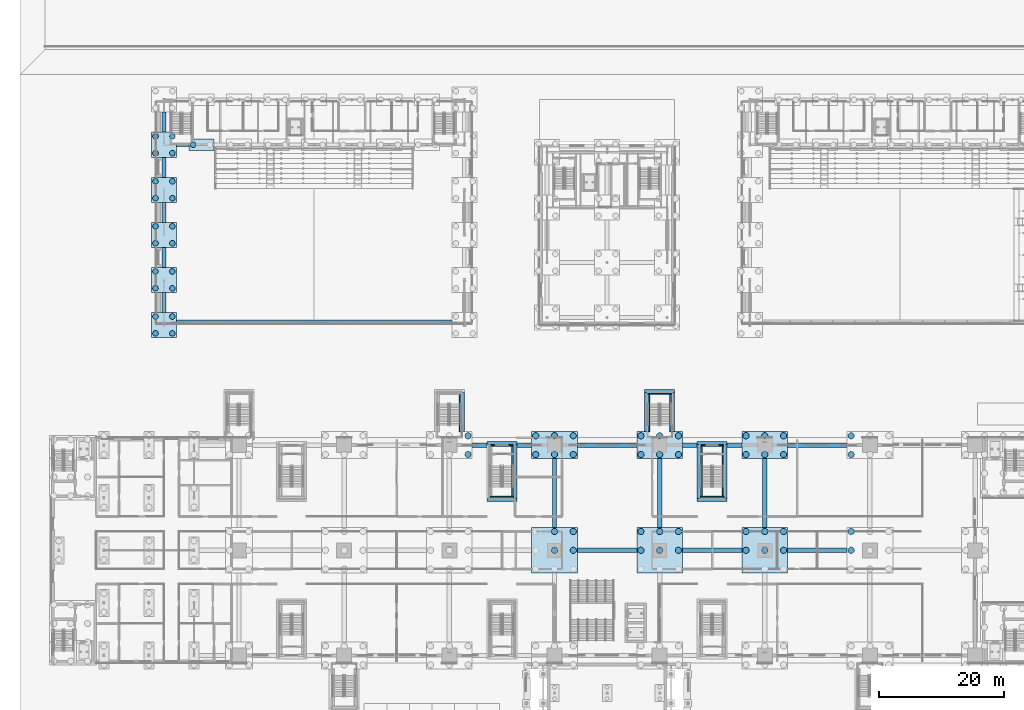
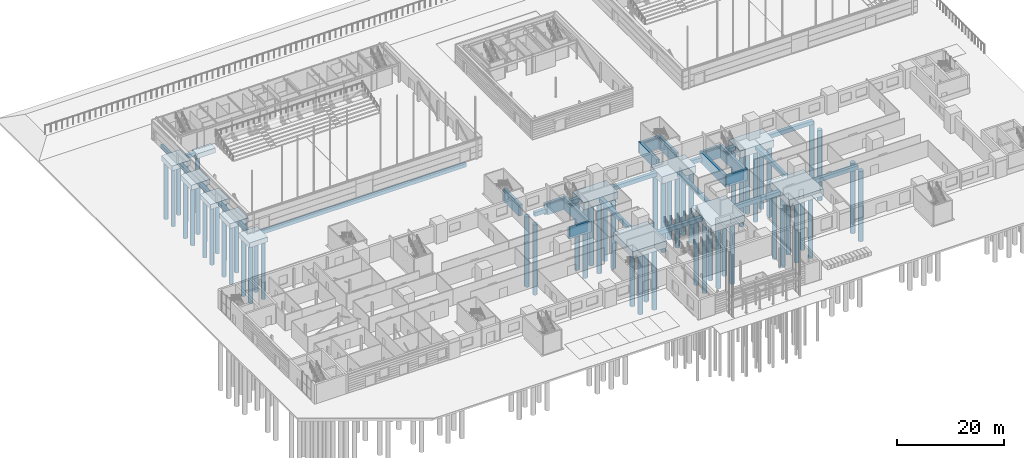
# One storey, part 4 of 139: 61 piles, 53 footings.
"""IFC4 building model written with IfcOpenShell, lengths in metres."""

from ifc_helpers import new_model, si_unit, direction, frame, origin, origin_2d, place, context, subcontext, project, spatial, polyline, rectangle, circle, outline, extrude, material, layer, layer_set, material_profile, profile_set, type_object, element, save


model = new_model("IFC4")

# Units and contexts
model_context = context("Model", 3, precision=1e-05, world=origin(), true_north=direction((0.0, 1.0)))
body_context = subcontext(model_context, "Body", "Model", "MODEL_VIEW")
ifc_project = project(units=[si_unit("LENGTHUNIT", "METRE"), si_unit("AREAUNIT", "SQUARE_METRE"), si_unit("VOLUMEUNIT", "CUBIC_METRE"), si_unit("PLANEANGLEUNIT", "RADIAN"), si_unit("MASSUNIT", "GRAM", prefix="KILO")], contexts=[model_context])

# Site, building, storey
site_placement = place(None, origin())
site = spatial("IfcSite", under=ifc_project, at=site_placement, CompositionType="ELEMENT")
building_placement = place(site_placement, origin())
building = spatial("IfcBuilding", under=site, at=building_placement, Name="Verrick Yard Athletic Hall", CompositionType="ELEMENT")
storey_placement = place(building_placement, origin())
storey = spatial("IfcBuildingStorey", under=building, at=storey_placement, Name="L00", CompositionType="ELEMENT", Elevation=0.0)

# Piles
ifc_material = material(Name="Concrete 35 MPa", Category="concrete")
ifc_material_profile_1 = material_profile(ifc_material, circle(Radius=0.449951171875, at=origin_2d()), Name="Bored pile 900")
ifc_profile_set_1 = profile_set([ifc_material_profile_1], Name="Concrete 35 MPa")
pile_type_1 = type_object("IfcPileType", Name="HB bored pile 900", PredefinedType="BORED", material=ifc_profile_set_1)
for number, where, z_axis, x_axis, name in (
    (1, (26.64990234375, 70.64990234375, -1.5), (0.0, 0.0, -1.0), (1.0, 0.0, 0.0), "HB-PC-HBW1-PL1"),
    (2, (29.35009765625, 70.64990234375, -1.5), (0.0, 0.0, -1.0), (1.0, 0.0, 0.0), "HB-PC-HBW1-PL2"),
    (3, (26.64990234375, 73.35009765625, -1.5), (0.0, 0.0, -1.0), (1.0, 0.0, 0.0), "HB-PC-HBW1-PL3"),
    (4, (29.35009765625, 73.35009765625, -1.5), (0.0, 0.0, -1.0), (1.0, 0.0, 0.0), "HB-PC-HBW1-PL4"),
    (5, (26.64990234375, 77.85009765625, -1.5), (0.0, 0.0, -1.0), (1.0, 0.0, 0.0), "HB-PC-HBW2-PL1"),
    (6, (29.35009765625, 77.85009765625, -1.5), (0.0, 0.0, -1.0), (1.0, 0.0, 0.0), "HB-PC-HBW2-PL2"),
    (7, (26.64990234375, 80.550048828125, -1.5), (0.0, 0.0, -1.0), (1.0, 0.0, 0.0), "HB-PC-HBW2-PL3"),
    (8, (29.35009765625, 80.550048828125, -1.5), (0.0, 0.0, -1.0), (1.0, 0.0, 0.0), "HB-PC-HBW2-PL4"),
    (9, (26.64990234375, 85.050048828125, -1.5), (0.0, 0.0, -1.0), (1.0, 0.0, 0.0), "HB-PC-HBW3-PL1"),
    (10, (29.35009765625, 85.050048828125, -1.5), (0.0, 0.0, -1.0), (1.0, 0.0, 0.0), "HB-PC-HBW3-PL2"),
    (11, (26.64990234375, 87.75, -1.5), (0.0, 0.0, -1.0), (1.0, 0.0, 0.0), "HB-PC-HBW3-PL3"),
    (12, (29.35009765625, 87.75, -1.5), (0.0, 0.0, -1.0), (1.0, 0.0, 0.0), "HB-PC-HBW3-PL4"),
    (13, (26.64990234375, 92.25, -1.5), (0.0, 0.0, -1.0), (1.0, 0.0, 0.0), "HB-PC-HBW4-PL1"),
    (14, (29.35009765625, 92.25, -1.5), (0.0, 0.0, -1.0), (1.0, 0.0, 0.0), "HB-PC-HBW4-PL2"),
    (15, (26.64990234375, 94.949951171875, -1.5), (0.0, 0.0, -1.0), (1.0, 0.0, 0.0), "HB-PC-HBW4-PL3"),
    (16, (29.35009765625, 94.949951171875, -1.5), (0.0, 0.0, -1.0), (1.0, 0.0, 0.0), "HB-PC-HBW4-PL4"),
    (17, (26.64990234375, 99.449951171875, -1.5), (0.0, 0.0, -1.0), (1.0, 0.0, 0.0), "HB-PC-HBW5-PL1"),
    (18, (29.35009765625, 99.449951171875, -1.5), (0.0, 0.0, -1.0), (1.0, 0.0, 0.0), "HB-PC-HBW5-PL2"),
    (19, (26.64990234375, 102.14990234375, -1.5), (0.0, 0.0, -1.0), (1.0, 0.0, 0.0), "HB-PC-HBW5-PL3"),
    (20, (29.35009765625, 102.14990234375, -1.5), (0.0, 0.0, -1.0), (1.0, 0.0, 0.0), "HB-PC-HBW5-PL4"),
    (21, (32.64990234375, 100.800048828125, -1.5), (0.0, 0.0, -1.0), (1.0, 0.0, 0.0), "HB-PC-B-B1S-PL1"),
):
    element("IfcPile", number, at=place(storey_placement, frame(where, z_axis=z_axis, x_axis=x_axis)), inside=storey, type_object=pile_type_1, Name=name, PredefinedType="BORED", context=body_context, shape_type="SweptSolid", body=[
        extrude(circle(Radius=0.449951171875, at=origin_2d()), origin(), (0.0, 0.0, 1.0), 13.10009765625),
    ])

# Footings
ifc_material_profile_2 = material_profile(ifc_material, rectangle(XDim=0.60009765625, YDim=0.800048828125, at=origin_2d()), Name="Grade beam 600x800")
ifc_profile_set_2 = profile_set([ifc_material_profile_2], Name="Concrete 35 MPa")
footing_type_1 = type_object("IfcFootingType", Name="HB grade beam 600x800", PredefinedType="FOOTING_BEAM", material=ifc_profile_set_2)
for number, where, z_axis, x_axis, name in (
    (22, (28.0, 74.0, -0.89990234375), (0.0, 1.0, 0.0), (-1.0, 0.0, 0.0), "HB-GB-B-WHBW1"),
    (23, (28.0, 81.199951171875, -0.89990234375), (0.0, 1.0, 0.0), (-1.0, 0.0, 0.0), "HB-GB-B-WHBW2"),
):
    element("IfcFooting", number, at=place(storey_placement, frame(where, z_axis=z_axis, x_axis=x_axis)), inside=storey, type_object=footing_type_1, Name=name, PredefinedType="FOOTING_BEAM", context=body_context, shape_type="SweptSolid", body=[
        extrude(rectangle(XDim=0.60009765625, YDim=0.800048828125, at=origin_2d()), origin(), (0.0, 0.0, 1.0), 3.199951171875),
    ])
footing_1_placement = place(storey_placement, frame((28.0, 88.39990234375, -0.89990234375), z_axis=(0.0, 1.0, 0.0), x_axis=(-1.0, 0.0, 0.0)))
element("IfcFooting", 24, at=footing_1_placement, inside=storey, type_object=footing_type_1, Name="HB-GB-B-WHBW3", PredefinedType="FOOTING_BEAM", context=body_context, shape_type="SweptSolid", body=[
    extrude(rectangle(XDim=0.60009765625, YDim=0.800048828125, at=origin_2d()), origin(), (0.0, 0.0, 1.0), 3.2001953125),
])
for number, where, z_axis, x_axis, name in (
    (25, (28.0, 95.60009765625, -0.89990234375), (0.0, 1.0, 0.0), (-1.0, 0.0, 0.0), "HB-GB-B-WHBW4"),
    (26, (28.0, 102.800048828125, -0.89990234375), (0.0, 1.0, 0.0), (-1.0, 0.0, 0.0), "HB-GB-B-WHBW5"),
):
    element("IfcFooting", number, at=place(storey_placement, frame(where, z_axis=z_axis, x_axis=x_axis)), inside=storey, type_object=footing_type_1, Name=name, PredefinedType="FOOTING_BEAM", context=body_context, shape_type="SweptSolid", body=[
        extrude(rectangle(XDim=0.60009765625, YDim=0.800048828125, at=origin_2d()), origin(), (0.0, 0.0, 1.0), 3.199951171875),
    ])
footing_2_placement = place(storey_placement, frame((30.0, 100.800048828125, -0.89990234375), z_axis=(1.0, 0.0, 0.0), x_axis=(0.0, 1.0, 0.0)))
element("IfcFooting", 27, at=footing_2_placement, inside=storey, type_object=footing_type_1, Name="HB-GB-B-R1-1", PredefinedType="FOOTING_BEAM", context=body_context, shape_type="SweptSolid", body=[
    extrude(rectangle(XDim=0.60009765625, YDim=0.800048828125, at=origin_2d()), origin(), (0.0, 0.0, 1.0), 2.0),
])
footing_3_placement = place(storey_placement, frame((30.0, 72.49462890625, -0.89990234375), z_axis=(1.0, 0.0, 0.0), x_axis=(0.0, 1.0, 0.0)))
element("IfcFooting", 28, at=footing_3_placement, inside=storey, type_object=footing_type_1, Name="HB-GB-B-GS", PredefinedType="FOOTING_BEAM", context=body_context, shape_type="SweptSolid", body=[
    extrude(rectangle(XDim=0.60009765625, YDim=0.800048828125, at=origin_2d()), origin(), (0.0, 0.0, 1.0), 44.0),
])
ifc_layer_1 = layer(ifc_material, 1.10009765625)
ifc_layer_set_1 = layer_set([ifc_layer_1], Name="HB pile cap four piles")
footing_type_2 = type_object("IfcFootingType", Name="HB pile cap four piles", PredefinedType="PILE_CAP", material=ifc_layer_set_1)
footing_4_placement = place(storey_placement, frame((0.0, 0.0, -1.60009765625)))
element("IfcFooting", 29, at=footing_4_placement, inside=storey, type_object=footing_type_2, Name="HB-PC-HBW1", PredefinedType="PILE_CAP", context=body_context, shape_type="SweptSolid", body=[
    extrude(outline(polyline([(26.0, 70.0), (30.0, 70.0), (30.0, 74.0), (26.0, 74.0), (26.0, 70.0)])), origin(), (0.0, 0.0, 1.0), 1.10009765625),
])
footing_5_placement = place(storey_placement, frame((0.0, 0.0, -1.60009765625)))
element("IfcFooting", 30, at=footing_5_placement, inside=storey, type_object=footing_type_2, Name="HB-PC-HBW2", PredefinedType="PILE_CAP", context=body_context, shape_type="SweptSolid", body=[
    extrude(outline(polyline([(26.0, 77.199951171875), (30.0, 77.199951171875), (30.0, 81.199951171875), (26.0, 81.199951171875), (26.0, 77.199951171875)])), origin(), (0.0, 0.0, 1.0), 1.10009765625),
])
footing_6_placement = place(storey_placement, frame((0.0, 0.0, -1.60009765625)))
element("IfcFooting", 31, at=footing_6_placement, inside=storey, type_object=footing_type_2, Name="HB-PC-HBW3", PredefinedType="PILE_CAP", context=body_context, shape_type="SweptSolid", body=[
    extrude(outline(polyline([(26.0, 84.39990234375), (30.0, 84.39990234375), (30.0, 88.39990234375), (26.0, 88.39990234375), (26.0, 84.39990234375)])), origin(), (0.0, 0.0, 1.0), 1.10009765625),
])
footing_7_placement = place(storey_placement, frame((0.0, 0.0, -1.60009765625)))
element("IfcFooting", 32, at=footing_7_placement, inside=storey, type_object=footing_type_2, Name="HB-PC-HBW4", PredefinedType="PILE_CAP", context=body_context, shape_type="SweptSolid", body=[
    extrude(outline(polyline([(26.0, 91.60009765625), (30.0, 91.60009765625), (30.0, 95.60009765625), (26.0, 95.60009765625), (26.0, 91.60009765625)])), origin(), (0.0, 0.0, 1.0), 1.10009765625),
])
footing_8_placement = place(storey_placement, frame((0.0, 0.0, -1.60009765625)))
element("IfcFooting", 33, at=footing_8_placement, inside=storey, type_object=footing_type_2, Name="HB-PC-HBW5", PredefinedType="PILE_CAP", context=body_context, shape_type="SweptSolid", body=[
    extrude(outline(polyline([(26.0, 98.800048828125), (30.0, 98.800048828125), (30.0, 102.800048828125), (26.0, 102.800048828125), (26.0, 98.800048828125)])), origin(), (0.0, 0.0, 1.0), 1.10009765625),
])
ifc_layer_2 = layer(ifc_material, 1.10009765625)
ifc_layer_set_2 = layer_set([ifc_layer_2], Name="HB pile cap two piles")
footing_type_3 = type_object("IfcFootingType", Name="HB pile cap two piles", PredefinedType="PILE_CAP", material=ifc_layer_set_2)
footing_9_placement = place(storey_placement, frame((0.0, 0.0, -1.60009765625)))
element("IfcFooting", 34, at=footing_9_placement, inside=storey, type_object=footing_type_3, Name="HB-PC-B-B1S", PredefinedType="PILE_CAP", context=body_context, shape_type="SweptSolid", body=[
    extrude(outline(polyline([(32.0, 99.89990234375), (36.0, 99.89990234375), (36.0, 101.699951171875), (32.0, 101.699951171875), (32.0, 99.89990234375)])), origin(), (0.0, 0.0, 1.0), 1.10009765625),
])

# Piles
pile_type_2 = type_object("IfcPileType", Name="STR Bored pile 1000", PredefinedType="BORED", material=ifc_material)
for number, where, z_axis, x_axis, name in (
    (35, (76.60009765625, 51.300048828125, -2.39990234375), (0.0, 0.0, -1.0), (1.0, 0.0, 0.0), "STR-PC-P3C-PL3"),
    (36, (76.60009765625, 54.300048828125, -2.39990234375), (0.0, 0.0, -1.0), (1.0, 0.0, 0.0), "STR-PC-P3C-PL6"),
    (37, (90.39990234375, 36.0, -2.39990234375), (0.0, 0.0, -1.0), (1.0, 0.0, 0.0), "STR-PC-P4B-PL5"),
    (38, (93.39990234375, 36.0, -2.39990234375), (0.0, 0.0, -1.0), (1.0, 0.0, 0.0), "STR-PC-P4B-PL6"),
    (39, (90.39990234375, 39.0, -2.39990234375), (0.0, 0.0, -1.0), (1.0, 0.0, 0.0), "STR-PC-P4B-PL8"),
    (40, (93.39990234375, 39.0, -2.39990234375), (0.0, 0.0, -1.0), (1.0, 0.0, 0.0), "STR-PC-P4B-PL9"),
    (41, (87.39990234375, 51.300048828125, -2.39990234375), (0.0, 0.0, -1.0), (1.0, 0.0, 0.0), "STR-PC-P4C-PL1"),
    (42, (90.39990234375, 51.300048828125, -2.39990234375), (0.0, 0.0, -1.0), (1.0, 0.0, 0.0), "STR-PC-P4C-PL2"),
    (43, (93.39990234375, 51.300048828125, -2.39990234375), (0.0, 0.0, -1.0), (1.0, 0.0, 0.0), "STR-PC-P4C-PL3"),
    (44, (87.39990234375, 54.300048828125, -2.39990234375), (0.0, 0.0, -1.0), (1.0, 0.0, 0.0), "STR-PC-P4C-PL4"),
    (45, (90.39990234375, 54.300048828125, -2.39990234375), (0.0, 0.0, -1.0), (1.0, 0.0, 0.0), "STR-PC-P4C-PL5"),
    (46, (93.39990234375, 54.300048828125, -2.39990234375), (0.0, 0.0, -1.0), (1.0, 0.0, 0.0), "STR-PC-P4C-PL6"),
    (47, (104.199951171875, 36.0, -2.39990234375), (0.0, 0.0, -1.0), (1.0, 0.0, 0.0), "STR-PC-P5B-PL4"),
    (48, (107.199951171875, 36.0, -2.39990234375), (0.0, 0.0, -1.0), (1.0, 0.0, 0.0), "STR-PC-P5B-PL5"),
    (49, (110.199951171875, 36.0, -2.39990234375), (0.0, 0.0, -1.0), (1.0, 0.0, 0.0), "STR-PC-P5B-PL6"),
    (50, (104.199951171875, 39.0, -2.39990234375), (0.0, 0.0, -1.0), (1.0, 0.0, 0.0), "STR-PC-P5B-PL7"),
    (51, (107.199951171875, 39.0, -2.39990234375), (0.0, 0.0, -1.0), (1.0, 0.0, 0.0), "STR-PC-P5B-PL8"),
    (52, (110.199951171875, 39.0, -2.39990234375), (0.0, 0.0, -1.0), (1.0, 0.0, 0.0), "STR-PC-P5B-PL9"),
    (53, (104.199951171875, 51.300048828125, -2.39990234375), (0.0, 0.0, -1.0), (1.0, 0.0, 0.0), "STR-PC-P5C-PL1"),
    (54, (107.199951171875, 51.300048828125, -2.39990234375), (0.0, 0.0, -1.0), (1.0, 0.0, 0.0), "STR-PC-P5C-PL2"),
    (55, (110.199951171875, 51.300048828125, -2.39990234375), (0.0, 0.0, -1.0), (1.0, 0.0, 0.0), "STR-PC-P5C-PL3"),
    (56, (104.199951171875, 54.300048828125, -2.39990234375), (0.0, 0.0, -1.0), (1.0, 0.0, 0.0), "STR-PC-P5C-PL4"),
    (57, (107.199951171875, 54.300048828125, -2.39990234375), (0.0, 0.0, -1.0), (1.0, 0.0, 0.0), "STR-PC-P5C-PL5"),
    (58, (110.199951171875, 54.300048828125, -2.39990234375), (0.0, 0.0, -1.0), (1.0, 0.0, 0.0), "STR-PC-P5C-PL6"),
    (59, (121.0, 36.0, -2.39990234375), (0.0, 0.0, -1.0), (1.0, 0.0, 0.0), "STR-PC-P6B-PL4"),
    (60, (124.0, 36.0, -2.39990234375), (0.0, 0.0, -1.0), (1.0, 0.0, 0.0), "STR-PC-P6B-PL5"),
    (61, (127.0, 36.0, -2.39990234375), (0.0, 0.0, -1.0), (1.0, 0.0, 0.0), "STR-PC-P6B-PL6"),
    (62, (121.0, 39.0, -2.39990234375), (0.0, 0.0, -1.0), (1.0, 0.0, 0.0), "STR-PC-P6B-PL7"),
    (63, (124.0, 39.0, -2.39990234375), (0.0, 0.0, -1.0), (1.0, 0.0, 0.0), "STR-PC-P6B-PL8"),
    (64, (127.0, 39.0, -2.39990234375), (0.0, 0.0, -1.0), (1.0, 0.0, 0.0), "STR-PC-P6B-PL9"),
    (65, (121.0, 51.300048828125, -2.39990234375), (0.0, 0.0, -1.0), (1.0, 0.0, 0.0), "STR-PC-P6C-PL1"),
    (66, (124.0, 51.300048828125, -2.39990234375), (0.0, 0.0, -1.0), (1.0, 0.0, 0.0), "STR-PC-P6C-PL2"),
    (67, (127.0, 51.300048828125, -2.39990234375), (0.0, 0.0, -1.0), (1.0, 0.0, 0.0), "STR-PC-P6C-PL3"),
    (68, (121.0, 54.300048828125, -2.39990234375), (0.0, 0.0, -1.0), (1.0, 0.0, 0.0), "STR-PC-P6C-PL4"),
    (69, (124.0, 54.300048828125, -2.39990234375), (0.0, 0.0, -1.0), (1.0, 0.0, 0.0), "STR-PC-P6C-PL5"),
    (70, (127.0, 54.300048828125, -2.39990234375), (0.0, 0.0, -1.0), (1.0, 0.0, 0.0), "STR-PC-P6C-PL6"),
    (71, (137.800048828125, 36.0, -2.39990234375), (0.0, 0.0, -1.0), (1.0, 0.0, 0.0), "STR-PC-P7B-PL4"),
    (72, (137.800048828125, 39.0, -2.39990234375), (0.0, 0.0, -1.0), (1.0, 0.0, 0.0), "STR-PC-P7B-PL7"),
    (73, (137.800048828125, 51.300048828125, -2.39990234375), (0.0, 0.0, -1.0), (1.0, 0.0, 0.0), "STR-PC-P7C-PL1"),
    (74, (137.800048828125, 54.300048828125, -2.39990234375), (0.0, 0.0, -1.0), (1.0, 0.0, 0.0), "STR-PC-P7C-PL4"),
):
    element("IfcPile", number, at=place(storey_placement, frame(where, z_axis=z_axis, x_axis=x_axis)), inside=storey, type_object=pile_type_2, Name=name, PredefinedType="BORED", context=body_context, shape_type="SweptSolid", body=[
        extrude(circle(Radius=0.5, at=origin_2d()), origin(), (0.0, 0.0, 1.0), 16.0),
    ])

# Footings
ifc_material_profile_3 = material_profile(ifc_material, rectangle(XDim=0.699951171875, YDim=0.89990234375, at=origin_2d()), Name="STR Grade beam F1")
ifc_profile_set_3 = profile_set([ifc_material_profile_3], Name="Concrete 35 MPa")
footing_type_4 = type_object("IfcFootingType", Name="STR Grade beam F1", PredefinedType="FOOTING_BEAM", material=ifc_profile_set_3)
for number, where, z_axis, x_axis, name in (
    (75, (94.050048828125, 36.0, -1.35009765625), (1.0, 0.0, 0.0), (0.0, 1.0, 0.0), "STR-GB-XP4B"),
    (76, (110.85009765625, 36.0, -1.35009765625), (1.0, 0.0, 0.0), (0.0, 1.0, 0.0), "STR-GB-XP5B"),
    (77, (127.64990234375, 36.0, -1.35009765625), (1.0, 0.0, 0.0), (0.0, 1.0, 0.0), "STR-GB-XP6B"),
):
    element("IfcFooting", number, at=place(storey_placement, frame(where, z_axis=z_axis, x_axis=x_axis)), inside=storey, type_object=footing_type_4, Name=name, PredefinedType="FOOTING_BEAM", context=body_context, shape_type="SweptSolid", body=[
        extrude(rectangle(XDim=0.699951171875, YDim=0.89990234375, at=origin_2d()), origin(), (0.0, 0.0, 1.0), 9.5),
    ])
for number, where, z_axis, x_axis, name in (
    (78, (77.25, 52.800048828125, -1.35009765625), (1.0, 0.0, 0.0), (0.0, 1.0, 0.0), "STR-GB-XP3C"),
    (79, (84.39990234375, 52.800048828125, -1.35009765625), (1.0, 0.0, 0.0), (0.0, 1.0, 0.0), "STR-GB-XP3C-2"),
):
    element("IfcFooting", number, at=place(storey_placement, frame(where, z_axis=z_axis, x_axis=x_axis)), inside=storey, type_object=footing_type_4, Name=name, PredefinedType="FOOTING_BEAM", context=body_context, shape_type="SweptSolid", body=[
        extrude(rectangle(XDim=0.699951171875, YDim=0.89990234375, at=origin_2d()), origin(), (0.0, 0.0, 1.0), 2.35009765625),
    ])
footing_10_placement = place(storey_placement, frame((94.050048828125, 52.800048828125, -1.35009765625), z_axis=(1.0, 0.0, 0.0), x_axis=(0.0, 1.0, 0.0)))
element("IfcFooting", 80, at=footing_10_placement, inside=storey, type_object=footing_type_4, Name="STR-GB-XP4C", PredefinedType="FOOTING_BEAM", context=body_context, shape_type="SweptSolid", body=[
    extrude(rectangle(XDim=0.699951171875, YDim=0.89990234375, at=origin_2d()), origin(), (0.0, 0.0, 1.0), 9.5),
])
footing_11_placement = place(storey_placement, frame((110.85009765625, 52.800048828125, -1.35009765625), z_axis=(1.0, 0.0, 0.0), x_axis=(0.0, 1.0, 0.0)))
element("IfcFooting", 81, at=footing_11_placement, inside=storey, type_object=footing_type_4, Name="STR-GB-XP5C", PredefinedType="FOOTING_BEAM", context=body_context, shape_type="SweptSolid", body=[
    extrude(rectangle(XDim=0.699951171875, YDim=0.89990234375, at=origin_2d()), origin(), (0.0, 0.0, 1.0), 2.349853515625),
])
footing_12_placement = place(storey_placement, frame((118.0, 52.800048828125, -1.35009765625), z_axis=(1.0, 0.0, 0.0), x_axis=(0.0, 1.0, 0.0)))
element("IfcFooting", 82, at=footing_12_placement, inside=storey, type_object=footing_type_4, Name="STR-GB-XP5C-2", PredefinedType="FOOTING_BEAM", context=body_context, shape_type="SweptSolid", body=[
    extrude(rectangle(XDim=0.699951171875, YDim=0.89990234375, at=origin_2d()), origin(), (0.0, 0.0, 1.0), 2.35009765625),
])
footing_13_placement = place(storey_placement, frame((127.64990234375, 52.800048828125, -1.35009765625), z_axis=(1.0, 0.0, 0.0), x_axis=(0.0, 1.0, 0.0)))
element("IfcFooting", 83, at=footing_13_placement, inside=storey, type_object=footing_type_4, Name="STR-GB-XP6C", PredefinedType="FOOTING_BEAM", context=body_context, shape_type="SweptSolid", body=[
    extrude(rectangle(XDim=0.699951171875, YDim=0.89990234375, at=origin_2d()), origin(), (0.0, 0.0, 1.0), 9.5),
])
for number, where, z_axis, x_axis, name in (
    (84, (90.39990234375, 39.64990234375, -1.35009765625), (0.0, 1.0, 0.0), (-1.0, 0.0, 0.0), "STR-GB-YP4B"),
    (85, (107.199951171875, 39.64990234375, -1.35009765625), (0.0, 1.0, 0.0), (-1.0, 0.0, 0.0), "STR-GB-YP5B"),
    (86, (124.0, 39.64990234375, -1.35009765625), (0.0, 1.0, 0.0), (-1.0, 0.0, 0.0), "STR-GB-YP6B"),
):
    element("IfcFooting", number, at=place(storey_placement, frame(where, z_axis=z_axis, x_axis=x_axis)), inside=storey, type_object=footing_type_4, Name=name, PredefinedType="FOOTING_BEAM", context=body_context, shape_type="SweptSolid", body=[
        extrude(rectangle(XDim=0.699951171875, YDim=0.89990234375, at=origin_2d()), origin(), (0.0, 0.0, 1.0), 11.0),
    ])
ifc_layer_3 = layer(ifc_material, 1.60009765625)
ifc_layer_set_3 = layer_set([ifc_layer_3], Name="STR Pile cap edge PC2")
footing_type_5 = type_object("IfcFootingType", Name="STR Pile cap edge PC2", PredefinedType="PILE_CAP", material=ifc_layer_set_3)
footing_14_placement = place(storey_placement, frame((0.0, 0.0, -2.5)))
element("IfcFooting", 87, at=footing_14_placement, inside=storey, type_object=footing_type_5, Name="STR-PC-P4C", PredefinedType="PILE_CAP", context=body_context, shape_type="SweptSolid", body=[
    extrude(outline(polyline([(86.75, 50.64990234375), (94.050048828125, 50.64990234375), (94.050048828125, 54.949951171875), (86.75, 54.949951171875), (86.75, 50.64990234375)])), origin(), (0.0, 0.0, 1.0), 1.60009765625),
])
footing_15_placement = place(storey_placement, frame((0.0, 0.0, -2.5)))
element("IfcFooting", 88, at=footing_15_placement, inside=storey, type_object=footing_type_5, Name="STR-PC-P5C", PredefinedType="PILE_CAP", context=body_context, shape_type="SweptSolid", body=[
    extrude(outline(polyline([(103.550048828125, 50.64990234375), (110.85009765625, 50.64990234375), (110.85009765625, 54.949951171875), (103.550048828125, 54.949951171875), (103.550048828125, 50.64990234375)])), origin(), (0.0, 0.0, 1.0), 1.60009765625),
])
footing_16_placement = place(storey_placement, frame((0.0, 0.0, -2.5)))
element("IfcFooting", 89, at=footing_16_placement, inside=storey, type_object=footing_type_5, Name="STR-PC-P6C", PredefinedType="PILE_CAP", context=body_context, shape_type="SweptSolid", body=[
    extrude(outline(polyline([(120.35009765625, 50.64990234375), (127.64990234375, 50.64990234375), (127.64990234375, 54.949951171875), (120.35009765625, 54.949951171875), (120.35009765625, 50.64990234375)])), origin(), (0.0, 0.0, 1.0), 1.60009765625),
])
ifc_layer_4 = layer(ifc_material, 1.60009765625)
ifc_layer_set_4 = layer_set([ifc_layer_4], Name="STR Pile cap interior PC1")
footing_type_6 = type_object("IfcFootingType", Name="STR Pile cap interior PC1", PredefinedType="PILE_CAP", material=ifc_layer_set_4)
footing_17_placement = place(storey_placement, frame((0.0, 0.0, -2.5)))
element("IfcFooting", 90, at=footing_17_placement, inside=storey, type_object=footing_type_6, Name="STR-PC-P4B", PredefinedType="PILE_CAP", context=body_context, shape_type="SweptSolid", body=[
    extrude(outline(polyline([(86.75, 32.35009765625), (94.050048828125, 32.35009765625), (94.050048828125, 39.64990234375), (86.75, 39.64990234375), (86.75, 32.35009765625)])), origin(), (0.0, 0.0, 1.0), 1.60009765625),
])
footing_18_placement = place(storey_placement, frame((0.0, 0.0, -2.5)))
element("IfcFooting", 91, at=footing_18_placement, inside=storey, type_object=footing_type_6, Name="STR-PC-P5B", PredefinedType="PILE_CAP", context=body_context, shape_type="SweptSolid", body=[
    extrude(outline(polyline([(103.550048828125, 32.35009765625), (110.85009765625, 32.35009765625), (110.85009765625, 39.64990234375), (103.550048828125, 39.64990234375), (103.550048828125, 32.35009765625)])), origin(), (0.0, 0.0, 1.0), 1.60009765625),
])
footing_19_placement = place(storey_placement, frame((0.0, 0.0, -2.5)))
element("IfcFooting", 92, at=footing_19_placement, inside=storey, type_object=footing_type_6, Name="STR-PC-P6B", PredefinedType="PILE_CAP", context=body_context, shape_type="SweptSolid", body=[
    extrude(outline(polyline([(120.35009765625, 32.35009765625), (127.64990234375, 32.35009765625), (127.64990234375, 39.64990234375), (120.35009765625, 39.64990234375), (120.35009765625, 32.35009765625)])), origin(), (0.0, 0.0, 1.0), 1.60009765625),
])
ifc_material_profile_4 = material_profile(ifc_material, rectangle(XDim=0.5, YDim=2.5, at=origin_2d()), Name="STR Wall strip footing F2")
ifc_profile_set_4 = profile_set([ifc_material_profile_4], Name="Concrete 35 MPa")
footing_type_7 = type_object("IfcFootingType", Name="STR Wall strip footing F2", PredefinedType="STRIP_FOOTING", material=ifc_profile_set_4)
footing_20_placement = place(storey_placement, frame((0.0, 0.0, -2.5)))
element("IfcFooting", 93, at=footing_20_placement, inside=storey, type_object=footing_type_7, Name="STR-WF-DT-N2-1", PredefinedType="STRIP_FOOTING", context=body_context, shape_type="SweptSolid", body=[
    extrude(outline(polyline([(104.800048828125, 54.949951171875), (105.300048828125, 54.949951171875), (105.300048828125, 61.199951171875), (104.800048828125, 61.199951171875), (104.800048828125, 54.949951171875)])), origin(), (0.0, 0.0, 1.0), 2.5),
])
footing_21_placement = place(storey_placement, frame((0.0, 0.0, -2.5)))
element("IfcFooting", 94, at=footing_21_placement, inside=storey, type_object=footing_type_7, Name="STR-WF-DT-N2-2", PredefinedType="STRIP_FOOTING", context=body_context, shape_type="SweptSolid", body=[
    extrude(outline(polyline([(109.10009765625, 54.949951171875), (109.60009765625, 54.949951171875), (109.60009765625, 61.199951171875), (109.10009765625, 61.199951171875), (109.10009765625, 54.949951171875)])), origin(), (0.0, 0.0, 1.0), 2.5),
])
footing_22_placement = place(storey_placement, frame((0.0, 0.0, -2.5)))
element("IfcFooting", 95, at=footing_22_placement, inside=storey, type_object=footing_type_7, Name="STR-WF-DT-N2-3", PredefinedType="STRIP_FOOTING", context=body_context, shape_type="SweptSolid", body=[
    extrude(outline(polyline([(104.800048828125, 61.199951171875), (109.60009765625, 61.199951171875), (109.60009765625, 61.699951171875), (104.800048828125, 61.699951171875), (104.800048828125, 61.199951171875)])), origin(), (0.0, 0.0, 1.0), 2.5),
])
footing_23_placement = place(storey_placement, frame((0.0, 0.0, -2.5)))
element("IfcFooting", 96, at=footing_23_placement, inside=storey, type_object=footing_type_7, Name="STR-WF-DT-N3-2", PredefinedType="STRIP_FOOTING", context=body_context, shape_type="SweptSolid", body=[
    extrude(outline(polyline([(75.5, 54.949951171875), (76.0, 54.949951171875), (76.0, 61.199951171875), (75.5, 61.199951171875), (75.5, 54.949951171875)])), origin(), (0.0, 0.0, 1.0), 2.5),
])
footing_24_placement = place(storey_placement, frame((0.0, 0.0, -2.5)))
element("IfcFooting", 97, at=footing_24_placement, inside=storey, type_object=footing_type_7, Name="STR-WF-PS-N2-1", PredefinedType="STRIP_FOOTING", context=body_context, shape_type="SweptSolid", body=[
    extrude(outline(polyline([(79.60009765625, 43.800048828125), (84.39990234375, 43.800048828125), (84.39990234375, 44.300048828125), (79.60009765625, 44.300048828125), (79.60009765625, 43.800048828125)])), origin(), (0.0, 0.0, 1.0), 2.5),
])
footing_25_placement = place(storey_placement, frame((0.0, 0.0, -2.5)))
element("IfcFooting", 98, at=footing_25_placement, inside=storey, type_object=footing_type_7, Name="STR-WF-PS-N2-3", PredefinedType="STRIP_FOOTING", context=body_context, shape_type="SweptSolid", body=[
    extrude(outline(polyline([(83.89990234375, 44.300048828125), (84.39990234375, 44.300048828125), (84.39990234375, 52.89990234375), (83.89990234375, 52.89990234375), (83.89990234375, 44.300048828125)])), origin(), (0.0, 0.0, 1.0), 2.5),
])
footing_26_placement = place(storey_placement, frame((0.0, 0.0, -2.5)))
element("IfcFooting", 99, at=footing_26_placement, inside=storey, type_object=footing_type_7, Name="STR-WF-PS-N2-4", PredefinedType="STRIP_FOOTING", context=body_context, shape_type="SweptSolid", body=[
    extrude(outline(polyline([(79.60009765625, 52.89990234375), (84.39990234375, 52.89990234375), (84.39990234375, 53.39990234375), (79.60009765625, 53.39990234375), (79.60009765625, 52.89990234375)])), origin(), (0.0, 0.0, 1.0), 2.5),
])
footing_27_placement = place(storey_placement, frame((0.0, 0.0, -2.5)))
element("IfcFooting", 100, at=footing_27_placement, inside=storey, type_object=footing_type_7, Name="STR-WF-PS-N3-1", PredefinedType="STRIP_FOOTING", context=body_context, shape_type="SweptSolid", body=[
    extrude(outline(polyline([(113.199951171875, 43.800048828125), (118.0, 43.800048828125), (118.0, 44.300048828125), (113.199951171875, 44.300048828125), (113.199951171875, 43.800048828125)])), origin(), (0.0, 0.0, 1.0), 2.5),
])
footing_28_placement = place(storey_placement, frame((0.0, 0.0, -2.5)))
element("IfcFooting", 101, at=footing_28_placement, inside=storey, type_object=footing_type_7, Name="STR-WF-PS-N3-2", PredefinedType="STRIP_FOOTING", context=body_context, shape_type="SweptSolid", body=[
    extrude(outline(polyline([(113.199951171875, 44.300048828125), (113.699951171875, 44.300048828125), (113.699951171875, 52.89990234375), (113.199951171875, 52.89990234375), (113.199951171875, 44.300048828125)])), origin(), (0.0, 0.0, 1.0), 2.5),
])
footing_29_placement = place(storey_placement, frame((0.0, 0.0, -2.5)))
element("IfcFooting", 102, at=footing_29_placement, inside=storey, type_object=footing_type_7, Name="STR-WF-PS-N3-3", PredefinedType="STRIP_FOOTING", context=body_context, shape_type="SweptSolid", body=[
    extrude(outline(polyline([(117.5, 44.300048828125), (118.0, 44.300048828125), (118.0, 52.89990234375), (117.5, 52.89990234375), (117.5, 44.300048828125)])), origin(), (0.0, 0.0, 1.0), 2.5),
])
footing_30_placement = place(storey_placement, frame((0.0, 0.0, -2.5)))
element("IfcFooting", 103, at=footing_30_placement, inside=storey, type_object=footing_type_7, Name="STR-WF-PS-N3-4", PredefinedType="STRIP_FOOTING", context=body_context, shape_type="SweptSolid", body=[
    extrude(outline(polyline([(113.199951171875, 52.89990234375), (118.0, 52.89990234375), (118.0, 53.39990234375), (113.199951171875, 53.39990234375), (113.199951171875, 52.89990234375)])), origin(), (0.0, 0.0, 1.0), 2.5),
])
ifc_material_profile_5 = material_profile(ifc_material, rectangle(XDim=0.300048828125, YDim=2.300048828125, at=origin_2d()), Name="STR Wall strip footing F3")
ifc_profile_set_5 = profile_set([ifc_material_profile_5], Name="Concrete 35 MPa")
footing_type_8 = type_object("IfcFootingType", Name="STR Wall strip footing F3", PredefinedType="STRIP_FOOTING", material=ifc_profile_set_5)
footing_31_placement = place(storey_placement, frame((0.0, 0.0, -2.5)))
element("IfcFooting", 104, at=footing_31_placement, inside=storey, type_object=footing_type_8, Name="STR-WF-DT-N2-IN-1", PredefinedType="STRIP_FOOTING", context=body_context, shape_type="SweptSolid", body=[
    extrude(outline(polyline([(105.300048828125, 54.949951171875), (105.60009765625, 54.949951171875), (105.60009765625, 60.89990234375), (105.300048828125, 60.89990234375), (105.300048828125, 54.949951171875)])), origin(), (0.0, 0.0, 1.0), 2.300048828125),
])
footing_32_placement = place(storey_placement, frame((0.0, 0.0, -2.5)))
element("IfcFooting", 105, at=footing_32_placement, inside=storey, type_object=footing_type_8, Name="STR-WF-DT-N2-IN-2", PredefinedType="STRIP_FOOTING", context=body_context, shape_type="SweptSolid", body=[
    extrude(outline(polyline([(108.800048828125, 54.949951171875), (109.10009765625, 54.949951171875), (109.10009765625, 60.89990234375), (108.800048828125, 60.89990234375), (108.800048828125, 54.949951171875)])), origin(), (0.0, 0.0, 1.0), 2.300048828125),
])
footing_33_placement = place(storey_placement, frame((0.0, 0.0, -2.5)))
element("IfcFooting", 106, at=footing_33_placement, inside=storey, type_object=footing_type_8, Name="STR-WF-DT-N2-IN-3", PredefinedType="STRIP_FOOTING", context=body_context, shape_type="SweptSolid", body=[
    extrude(outline(polyline([(105.300048828125, 60.89990234375), (109.10009765625, 60.89990234375), (109.10009765625, 61.199951171875), (105.300048828125, 61.199951171875), (105.300048828125, 60.89990234375)])), origin(), (0.0, 0.0, 1.0), 2.300048828125),
])
footing_34_placement = place(storey_placement, frame((0.0, 0.0, -2.5)))
element("IfcFooting", 107, at=footing_34_placement, inside=storey, type_object=footing_type_8, Name="STR-WF-DT-N3-IN-2", PredefinedType="STRIP_FOOTING", context=body_context, shape_type="SweptSolid", body=[
    extrude(outline(polyline([(75.199951171875, 54.949951171875), (75.5, 54.949951171875), (75.5, 60.89990234375), (75.199951171875, 60.89990234375), (75.199951171875, 54.949951171875)])), origin(), (0.0, 0.0, 1.0), 2.300048828125),
])
footing_35_placement = place(storey_placement, frame((0.0, 0.0, -2.5)))
element("IfcFooting", 108, at=footing_35_placement, inside=storey, type_object=footing_type_8, Name="STR-WF-PS-N2-IN-1", PredefinedType="STRIP_FOOTING", context=body_context, shape_type="SweptSolid", body=[
    extrude(outline(polyline([(80.10009765625, 44.300048828125), (83.89990234375, 44.300048828125), (83.89990234375, 44.60009765625), (80.10009765625, 44.60009765625), (80.10009765625, 44.300048828125)])), origin(), (0.0, 0.0, 1.0), 2.300048828125),
])
footing_36_placement = place(storey_placement, frame((0.0, 0.0, -2.5)))
element("IfcFooting", 109, at=footing_36_placement, inside=storey, type_object=footing_type_8, Name="STR-WF-PS-N2-IN-3", PredefinedType="STRIP_FOOTING", context=body_context, shape_type="SweptSolid", body=[
    extrude(outline(polyline([(83.60009765625, 44.60009765625), (83.89990234375, 44.60009765625), (83.89990234375, 52.60009765625), (83.60009765625, 52.60009765625), (83.60009765625, 44.60009765625)])), origin(), (0.0, 0.0, 1.0), 2.300048828125),
])
footing_37_placement = place(storey_placement, frame((0.0, 0.0, -2.5)))
element("IfcFooting", 110, at=footing_37_placement, inside=storey, type_object=footing_type_8, Name="STR-WF-PS-N2-IN-4", PredefinedType="STRIP_FOOTING", context=body_context, shape_type="SweptSolid", body=[
    extrude(outline(polyline([(80.10009765625, 52.60009765625), (83.89990234375, 52.60009765625), (83.89990234375, 52.89990234375), (80.10009765625, 52.89990234375), (80.10009765625, 52.60009765625)])), origin(), (0.0, 0.0, 1.0), 2.300048828125),
])
footing_38_placement = place(storey_placement, frame((0.0, 0.0, -2.5)))
element("IfcFooting", 111, at=footing_38_placement, inside=storey, type_object=footing_type_8, Name="STR-WF-PS-N3-IN-1", PredefinedType="STRIP_FOOTING", context=body_context, shape_type="SweptSolid", body=[
    extrude(outline(polyline([(113.699951171875, 44.300048828125), (117.5, 44.300048828125), (117.5, 44.60009765625), (113.699951171875, 44.60009765625), (113.699951171875, 44.300048828125)])), origin(), (0.0, 0.0, 1.0), 2.300048828125),
])
footing_39_placement = place(storey_placement, frame((0.0, 0.0, -2.5)))
element("IfcFooting", 112, at=footing_39_placement, inside=storey, type_object=footing_type_8, Name="STR-WF-PS-N3-IN-2", PredefinedType="STRIP_FOOTING", context=body_context, shape_type="SweptSolid", body=[
    extrude(outline(polyline([(113.699951171875, 44.60009765625), (114.0, 44.60009765625), (114.0, 52.60009765625), (113.699951171875, 52.60009765625), (113.699951171875, 44.60009765625)])), origin(), (0.0, 0.0, 1.0), 2.300048828125),
])
footing_40_placement = place(storey_placement, frame((0.0, 0.0, -2.5)))
element("IfcFooting", 113, at=footing_40_placement, inside=storey, type_object=footing_type_8, Name="STR-WF-PS-N3-IN-3", PredefinedType="STRIP_FOOTING", context=body_context, shape_type="SweptSolid", body=[
    extrude(outline(polyline([(117.199951171875, 44.60009765625), (117.5, 44.60009765625), (117.5, 52.60009765625), (117.199951171875, 52.60009765625), (117.199951171875, 44.60009765625)])), origin(), (0.0, 0.0, 1.0), 2.300048828125),
])
footing_41_placement = place(storey_placement, frame((0.0, 0.0, -2.5)))
element("IfcFooting", 114, at=footing_41_placement, inside=storey, type_object=footing_type_8, Name="STR-WF-PS-N3-IN-4", PredefinedType="STRIP_FOOTING", context=body_context, shape_type="SweptSolid", body=[
    extrude(outline(polyline([(113.699951171875, 52.60009765625), (117.5, 52.60009765625), (117.5, 52.89990234375), (113.699951171875, 52.89990234375), (113.699951171875, 52.60009765625)])), origin(), (0.0, 0.0, 1.0), 2.300048828125),
])

save(model, "model.ifc")
